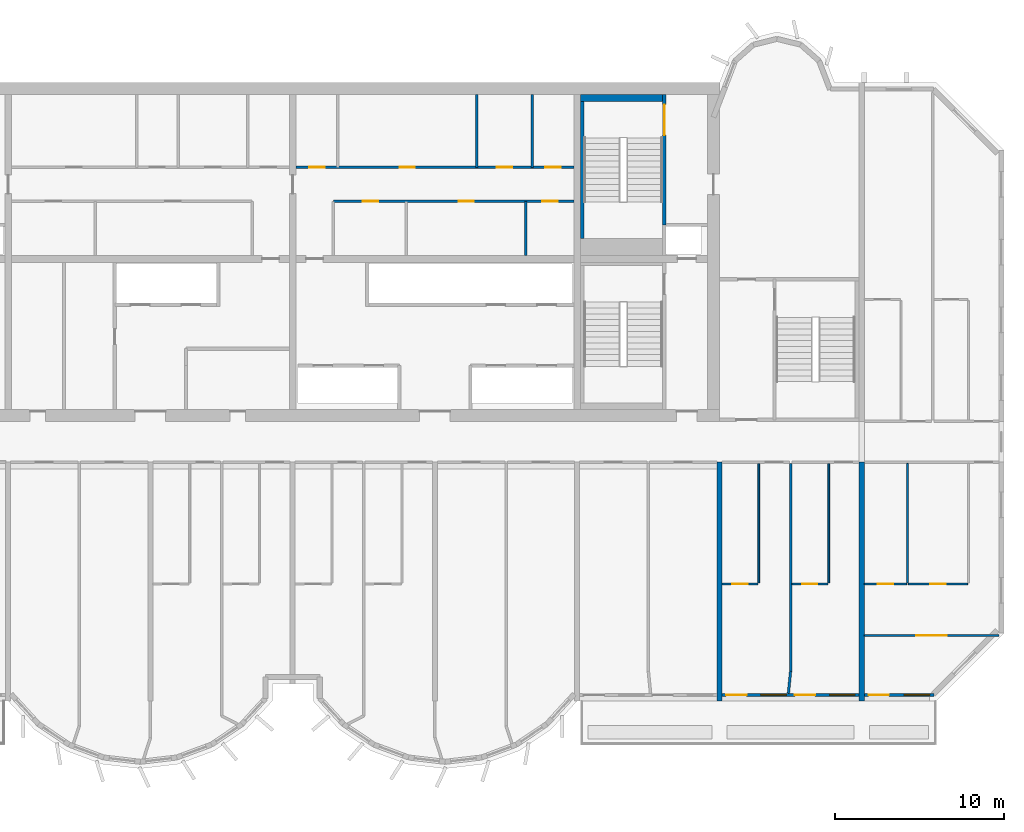
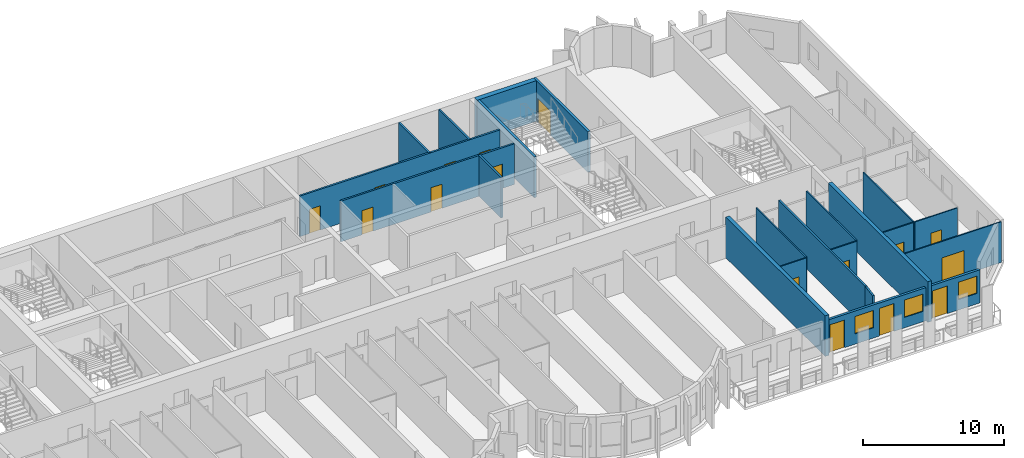
# One storey, part 8 of 13: 22 walls, 16 doors, 3 windows, 19 openings.
"""IFC4 building model written with IfcOpenShell, lengths in metres."""

import ifcopenshell
import ifcopenshell.guid

model = None  # the IFC model being written
_history = None  # IfcOwnerHistory: only IFC2X3 demands one
_inside = {}  # id of a spatial element -> (the spatial element, [elements in it])
_under = {}  # id of a project, library or spatial element -> (it, [spatial elements below it])
_declared = {}  # id of a project -> (the project, [libraries it declares])
_typed = {}  # id of a type object -> (the type object, [elements of that type])
_made_of = {}  # id of a material, layer set ... -> (it, [elements and type objects made of it])


def new_model(schema):
    """Start an empty IFC model of exactly this schema.

    Asked for "IFC4X3", IfcOpenShell would pick the latest addendum, in which some entities
    have other attributes; the version numbers below select the first issue.
    IFC2X3 requires an IfcOwnerHistory on every rooted entity: one is made here for all.
    """
    global model, _history
    if schema == "IFC4X3":
        model = ifcopenshell.file(schema_version=(4, 3, 0, 0))
    else:
        model = ifcopenshell.file(schema=schema)
    _inside.clear()
    _under.clear()
    _declared.clear()
    _typed.clear()
    _made_of.clear()
    _history = None
    if model.schema == "IFC2X3":
        org = make("IfcOrganization", Name="unknown")
        user = make(
            "IfcPersonAndOrganization",
            ThePerson=make("IfcPerson", FamilyName="unknown"),
            TheOrganization=org,
        )
        app = make(
            "IfcApplication",
            ApplicationDeveloper=org,
            Version="unknown",
            ApplicationFullName="unknown",
            ApplicationIdentifier="unknown",
        )
        _history = make(
            "IfcOwnerHistory",
            OwningUser=user,
            OwningApplication=app,
            ChangeAction="ADDED",
            CreationDate=0,
        )
    return model


def make(cls, **values):
    """One entity of the class cls with the attributes given. An attribute that is None is left unset."""
    return model.create_entity(
        cls, **{name: value for name, value in values.items() if value is not None}
    )


def rooted(cls, **values):
    """An entity with a GlobalId (a new one), such as an element, a storey or a relation."""
    return make(cls, GlobalId=ifcopenshell.guid.new(), OwnerHistory=_history, **values)


def si_unit(unit_type, name, prefix=None):
    """IfcSIUnit, for example si_unit("LENGTHUNIT", "METRE", prefix="MILLI")."""
    return make("IfcSIUnit", UnitType=unit_type, Prefix=prefix, Name=name)


def assignment(units):
    """IfcUnitAssignment: the units of a project."""
    return None if units is None else make("IfcUnitAssignment", Units=units)


def point(xyz):
    """IfcCartesianPoint."""
    return None if xyz is None else make("IfcCartesianPoint", Coordinates=xyz)


def direction(xyz):
    """IfcDirection."""
    return None if xyz is None else make("IfcDirection", DirectionRatios=xyz)


def frame(location, z_axis=None, x_axis=None):
    """IfcAxis2Placement3D, a coordinate frame: its origin and axes. An axis left out is left unset."""
    return make(
        "IfcAxis2Placement3D",
        Location=point(location),
        Axis=direction(z_axis),
        RefDirection=direction(x_axis),
    )


def frame_2d(location, x_axis=None):
    """IfcAxis2Placement2D, a coordinate frame in the plane: its origin and x axis."""
    return make(
        "IfcAxis2Placement2D", Location=point(location), RefDirection=direction(x_axis)
    )


def origin():
    """The frame at (0, 0, 0) with its axes left unset."""
    return frame((0.0, 0.0, 0.0))


def place(relative_to, where):
    """IfcLocalPlacement: puts the frame where relative to a parent placement (None: the world)."""
    return make(
        "IfcLocalPlacement", PlacementRelTo=relative_to, RelativePlacement=where
    )


def context(
    kind, dimensions, precision=None, world=None, true_north=None, identifier=None
):
    """IfcGeometricRepresentationContext, for example the 3D "Model" context."""
    return make(
        "IfcGeometricRepresentationContext",
        ContextIdentifier=identifier,
        ContextType=kind,
        CoordinateSpaceDimension=dimensions,
        Precision=precision,
        WorldCoordinateSystem=world,
        TrueNorth=true_north,
    )


def subcontext(parent, identifier, kind, view, scale=None):
    """IfcGeometricRepresentationSubContext, for example "Body" below "Model"."""
    return make(
        "IfcGeometricRepresentationSubContext",
        ContextIdentifier=identifier,
        ContextType=kind,
        ParentContext=parent,
        TargetScale=scale,
        TargetView=view,
    )


def project(units=None, contexts=None):
    """IfcProject with its units and contexts."""
    return rooted(
        "IfcProject",
        Name="project",
        RepresentationContexts=contexts,
        UnitsInContext=assignment(units),
    )


def spatial(cls, under=None, at=None, **own):
    """A site, building, storey or space (cls), placed at a placement, below another one or the project."""
    s = rooted(cls, ObjectPlacement=at, **own)
    if under is not None:
        _under.setdefault(under.id(), (under, []))[1].append(s)
    return s


def profile(cls, at=None, kind="AREA", **sizes):
    """A parametric profile (cls). Its sizes go by their IFC names, for example OverallWidth=200.0."""
    return make(cls, ProfileType=kind, Position=at, **sizes)


def rectangle(**sizes):
    """IfcRectangleProfileDef."""
    return profile("IfcRectangleProfileDef", **sizes)


def extrude(swept, where, along, depth):
    """IfcExtrudedAreaSolid: the profile swept, set in the frame where, extruded along a direction by depth."""
    return make(
        "IfcExtrudedAreaSolid",
        SweptArea=swept,
        Position=where,
        ExtrudedDirection=direction(along),
        Depth=depth,
    )


def shape(context_of_items, identifier, shape_type, items):
    """IfcShapeRepresentation: the items that make up one representation, for example the "Body"."""
    return make(
        "IfcShapeRepresentation",
        ContextOfItems=context_of_items,
        RepresentationIdentifier=identifier,
        RepresentationType=shape_type,
        Items=items,
    )


def source(mapping_origin, context_of_items, identifier, shape_type, items):
    """IfcRepresentationMap: a shape defined once, which mapped items show again and again."""
    return make(
        "IfcRepresentationMap",
        MappingOrigin=mapping_origin,
        MappedRepresentation=shape(context_of_items, identifier, shape_type, items),
    )


def transform(
    local_origin,
    x_axis=None,
    y_axis=None,
    z_axis=None,
    scale=None,
    scale2=None,
    scale3=None,
    uniform=True,
):
    """IfcCartesianTransformationOperator3D, or its non-uniform kind. x_axis, y_axis, z_axis: its Axis1, 2, 3."""
    if uniform:
        return make(
            "IfcCartesianTransformationOperator3D",
            Axis1=direction(x_axis),
            Axis2=direction(y_axis),
            LocalOrigin=point(local_origin),
            Scale=scale,
            Axis3=direction(z_axis),
        )
    return make(
        "IfcCartesianTransformationOperator3DnonUniform",
        Axis1=direction(x_axis),
        Axis2=direction(y_axis),
        LocalOrigin=point(local_origin),
        Scale=scale,
        Axis3=direction(z_axis),
        Scale2=scale2,
        Scale3=scale3,
    )


def mapped(mapping_source, mapping_target):
    """IfcMappedItem: shows the shape of a source again, moved by a transform."""
    return make(
        "IfcMappedItem", MappingSource=mapping_source, MappingTarget=mapping_target
    )


def material(Name=None, Category=None):
    """IfcMaterial."""
    return make("IfcMaterial", Name=Name, Category=Category)


def layer(
    of_material, thickness, ventilated=None, Name=None, Category=None, Priority=None
):
    """IfcMaterialLayer: one layer of a wall or slab, of a material (None: an air gap)."""
    return make(
        "IfcMaterialLayer",
        Material=of_material,
        LayerThickness=thickness,
        IsVentilated=ventilated,
        Name=Name,
        Category=Category,
        Priority=Priority,
    )


def layer_set(layers, Name=None):
    """IfcMaterialLayerSet."""
    return make("IfcMaterialLayerSet", MaterialLayers=layers, LayerSetName=Name)


def made_of(thing, what):
    """Note that an element or type object is made of a material, layer set ...; save() writes the relation."""
    if what is not None:
        _made_of.setdefault(what.id(), (what, []))[1].append(thing)
    return thing


def type_object(cls, material=None, **own):
    """A type object (cls), such as IfcWallType, which elements share."""
    return made_of(rooted(cls, **own), material)


def element(
    cls,
    number,
    at=None,
    inside=None,
    cuts=None,
    type_object=None,
    material=None,
    context=None,
    identifier="Body",
    shape_type=None,
    held_by="IfcProductDefinitionShape",
    body=None,
    shapes=None,
    **own,
):
    """One element of the class cls, such as IfcWall. Its Tag is "e" and its number.

    at: its placement. inside: the storey or other place that contains it. cuts: it is an
    opening in that element (IfcRelVoidsElement). A single representation is given by context,
    identifier, shape_type and body (its items); several are given by shapes. held_by: the class
    of the entity that holds the representations. save() writes the other relations.
    """
    e = rooted(cls, Tag="e%d" % number, ObjectPlacement=at, **own)
    if body is not None:
        shapes = [shape(context, identifier, shape_type, body)]
    if shapes is not None:
        e.Representation = make(held_by, Representations=shapes)
    if inside is not None:
        _inside.setdefault(inside.id(), (inside, []))[1].append(e)
    if cuts is not None:
        rooted(
            "IfcRelVoidsElement", RelatingBuildingElement=cuts, RelatedOpeningElement=e
        )
    if type_object is not None:
        _typed.setdefault(type_object.id(), (type_object, []))[1].append(e)
    return made_of(e, material)


def fill(opening, filler):
    """IfcRelFillsElement: the door or window that sits in an opening."""
    return rooted(
        "IfcRelFillsElement",
        RelatingOpeningElement=opening,
        RelatedBuildingElement=filler,
    )


def aggregate(whole, parts):
    """IfcRelAggregates: a whole, such as a stair, and the parts it consists of."""
    return rooted("IfcRelAggregates", RelatingObject=whole, RelatedObjects=parts)


def save(model, path):
    """Write the relations noted so far, then the file.

    IfcRelAggregates (storeys below a building ...), IfcRelContainedInSpatialStructure (elements
    in a storey), IfcRelDefinesByType, IfcRelAssociatesMaterial and IfcRelDeclares: one each for
    every whole, place, type object, material and project.
    """
    for whole, parts in _under.values():
        aggregate(whole, parts)
    for where, things in _inside.values():
        rooted(
            "IfcRelContainedInSpatialStructure",
            RelatedElements=things,
            RelatingStructure=where,
        )
    for kind, things in _typed.values():
        rooted("IfcRelDefinesByType", RelatedObjects=things, RelatingType=kind)
    for what, things in _made_of.values():
        rooted("IfcRelAssociatesMaterial", RelatedObjects=things, RelatingMaterial=what)
    for by, libraries in _declared.values():
        rooted("IfcRelDeclares", RelatingContext=by, RelatedDefinitions=libraries)
    model.write(path)


model = new_model("IFC4")

# Units and contexts
model_context = context("Model", 3, precision=1e-05, world=origin(), true_north=direction((0.0, 1.0)))
body_context = subcontext(model_context, "Body", "Model", "MODEL_VIEW")
ifc_project = project(units=[si_unit("LENGTHUNIT", "METRE"), si_unit("AREAUNIT", "SQUARE_METRE"), si_unit("VOLUMEUNIT", "CUBIC_METRE"), si_unit("PLANEANGLEUNIT", "RADIAN"), si_unit("MASSUNIT", "GRAM", prefix="KILO")], contexts=[model_context])

# Site, building, storey
site_placement = place(None, origin())
site = spatial("IfcSite", under=ifc_project, at=site_placement, CompositionType="ELEMENT")
building_placement = place(site_placement, origin())
building = spatial("IfcBuilding", under=site, at=building_placement, Name="Vanashikhar Sky Hotel", CompositionType="ELEMENT")
storey_placement = place(building_placement, frame((0.0, 0.0, 166.800048828125)))
storey = spatial("IfcBuildingStorey", under=building, at=storey_placement, Name="L40", CompositionType="ELEMENT", Elevation=166.800048828125)

# Walls
ifc_material_1 = material(Name="Concrete M60", Category="concrete")
ifc_layer_1 = layer(ifc_material_1, 0.300048828125)
ifc_layer_set_1 = layer_set([ifc_layer_1], Name="RC shear wall 300 Concrete M60")
wall_type_1 = type_object("IfcWallType", Name="RC shear wall 300 Concrete M60", PredefinedType="SHEAR", material=ifc_layer_set_1)
shared_shape_1 = source(origin(), body_context, "Body", "SweptSolid", [
    extrude(rectangle(XDim=14.10009765625, YDim=0.300048828125, at=frame_2d((7.050048828125, 0.0))), origin(), (0.0, 0.0, 1.0), 3.52001953125),
])
for number, where, z_axis, x_axis, name in (
    (1, (75.60009765625, 5.5, 0.0), (0.0, 0.0, 1.0), (0.0, 1.0, 0.0), "CW-L40-XW10-1"),
    (2, (84.0, 5.5, 0.0), (0.0, 0.0, 1.0), (0.0, 1.0, 0.0), "CW-L40-XW11-1"),
):
    element("IfcWall", number, at=place(storey_placement, frame(where, z_axis=z_axis, x_axis=x_axis)), inside=storey, type_object=wall_type_1, Name=name, PredefinedType="SHEAR", context=body_context, shape_type="MappedRepresentation", body=[
        mapped(shared_shape_1, transform((0.0, 0.0, 0.0), scale=1.0)),
    ])

# Wall, openings, window, door
ifc_material_2 = material(Name="Concrete M50", Category="concrete")
ifc_layer_2 = layer(ifc_material_2, 0.199951171875)
ifc_layer_set_2 = layer_set([ifc_layer_2], Name="Front window wall 200")
wall_type_2 = type_object("IfcWallType", Name="Front window wall 200", PredefinedType="SOLIDWALL", material=ifc_layer_set_2)
shared_shape_2 = source(origin(), body_context, "Body", "SweptSolid", [
    extrude(rectangle(XDim=4.10498046875, YDim=0.199951171875, at=frame_2d((2.052490234375, 0.0))), origin(), (0.0, 0.0, 1.0), 2.869873046875),
])
wall_1_placement = place(storey_placement, frame((84.14990234375, 5.85009765625, 0.0), z_axis=(0.0, 0.0, 1.0), x_axis=(1.0, 0.0, 0.0)))
wall_1 = element("IfcWall", 3, at=wall_1_placement, inside=storey, type_object=wall_type_2, Name="Front window wall", PredefinedType="SOLIDWALL", context=body_context, shape_type="MappedRepresentation", body=[
    mapped(shared_shape_2, transform((0.0, 0.0, 0.0), scale=1.0)),
])
shared_shape_3 = source(origin(), body_context, "Body", "SweptSolid", [
    extrude(rectangle(XDim=1.199951171875, YDim=2.39990234375, at=frame_2d((0.60009765625, 1.199951171875))), frame((0.0, 0.10986328125, 0.0), z_axis=(0.0, -1.0, 0.0), x_axis=(1.0, 0.0, 0.0)), (0.0, 0.0, 1.0), 0.219970703125),
])
opening_1_placement = place(wall_1_placement, frame((0.25, 0.0, 0.0)))
opening_1 = element("IfcOpeningElement", 4, at=opening_1_placement, cuts=wall_1, Name="Opening BD-10", PredefinedType="OPENING", context=body_context, shape_type="MappedRepresentation", body=[
    mapped(shared_shape_3, transform((0.0, 0.0, 0.0), scale=1.0)),
])
shared_shape_4 = source(origin(), body_context, "Body", "SweptSolid", [
    extrude(rectangle(XDim=1.5, YDim=1.5, at=frame_2d((0.75, 0.75))), frame((0.0, 0.10986328125, 0.0), z_axis=(0.0, -1.0, 0.0), x_axis=(1.0, 0.0, 0.0)), (0.0, 0.0, 1.0), 0.219970703125),
])
opening_2_placement = place(wall_1_placement, frame((2.35498046875, 0.0, 0.89990234375)))
opening_2 = element("IfcOpeningElement", 5, at=opening_2_placement, cuts=wall_1, Name="Opening WN-1", PredefinedType="OPENING", context=body_context, shape_type="MappedRepresentation", body=[
    mapped(shared_shape_4, transform((0.0, 0.0, 0.0), scale=1.0)),
])
ifc_material_3 = material(Name="Glass", Category="glass")
window_type = type_object("IfcWindowType", Name="Window 1500 x 1500", PartitioningType="SINGLE_PANEL", PredefinedType="WINDOW", material=ifc_material_3)
shared_shape_5 = source(origin(), body_context, "Body", "SweptSolid", [
    extrude(rectangle(XDim=1.5, YDim=1.5, at=frame_2d((0.75, 0.75))), frame((0.0, 0.030029296875, 0.0), z_axis=(0.0, -1.0, 0.0), x_axis=(1.0, 0.0, 0.0)), (0.0, 0.0, 1.0), 0.06005859375),
])
window_1_placement = place(opening_2_placement, origin())
window_1 = element("IfcWindow", 6, at=window_1_placement, inside=storey, type_object=window_type, Name="Window WN-1", OverallHeight=1.5, OverallWidth=1.5, PartitioningType="SINGLE_PANEL", PredefinedType="WINDOW", context=body_context, shape_type="MappedRepresentation", body=[
    mapped(shared_shape_5, transform((0.0, 0.0, 0.0), scale=1.0)),
])
fill(opening_2, window_1)
ifc_material_4 = material(Name="Aluminium", Category="aluminium")
door_type_1 = type_object("IfcDoorType", Name="Balcony sliding door 1200 x 2400", OperationType="NOTDEFINED", PredefinedType="DOOR", material=ifc_material_4)
shared_shape_6 = source(origin(), body_context, "Body", "SweptSolid", [
    extrude(rectangle(XDim=1.199951171875, YDim=2.39990234375, at=frame_2d((0.60009765625, 1.199951171875))), frame((0.0, 0.02490234375, 0.0), z_axis=(0.0, -1.0, 0.0), x_axis=(1.0, 0.0, 0.0)), (0.0, 0.0, 1.0), 0.050048828125),
])
door_1_placement = place(opening_1_placement, origin())
door_1 = element("IfcDoor", 7, at=door_1_placement, inside=storey, type_object=door_type_1, Name="Balcony sliding door", OperationType="SLIDING_TO_RIGHT", OverallHeight=2.39990234375, OverallWidth=1.199951171875, PredefinedType="DOOR", context=body_context, shape_type="MappedRepresentation", body=[
    mapped(shared_shape_6, transform((0.0, 0.0, 0.0), scale=1.0)),
])
fill(opening_1, door_1)

# Wall, openings, windows, doors
shared_shape_7 = source(origin(), body_context, "Body", "SweptSolid", [
    extrude(rectangle(XDim=8.10009765625, YDim=0.199951171875, at=frame_2d((4.050048828125, 0.0))), origin(), (0.0, 0.0, 1.0), 2.869873046875),
])
wall_2_placement = place(storey_placement, frame((75.75, 5.85009765625, 0.0), z_axis=(0.0, 0.0, 1.0), x_axis=(1.0, 0.0, 0.0)))
wall_2 = element("IfcWall", 8, at=wall_2_placement, inside=storey, type_object=wall_type_2, Name="Front window wall", PredefinedType="SOLIDWALL", context=body_context, shape_type="MappedRepresentation", body=[
    mapped(shared_shape_7, transform((0.0, 0.0, 0.0), scale=1.0)),
])
opening_3_placement = place(wall_2_placement, frame((0.25, 0.0, 0.0)))
opening_3 = element("IfcOpeningElement", 9, at=opening_3_placement, cuts=wall_2, Name="Opening BD-08", PredefinedType="OPENING", context=body_context, shape_type="MappedRepresentation", body=[
    mapped(shared_shape_3, transform((0.0, 0.0, 0.0), scale=1.0)),
])
opening_4_placement = place(wall_2_placement, frame((2.300048828125, 0.0, 0.89990234375)))
opening_4 = element("IfcOpeningElement", 10, at=opening_4_placement, cuts=wall_2, Name="Opening WN-1", PredefinedType="OPENING", context=body_context, shape_type="MappedRepresentation", body=[
    mapped(shared_shape_4, transform((0.0, 0.0, 0.0), scale=1.0)),
])
opening_5_placement = place(wall_2_placement, frame((4.300048828125, 0.0, 0.0)))
opening_5 = element("IfcOpeningElement", 11, at=opening_5_placement, cuts=wall_2, Name="Opening BD-09", PredefinedType="OPENING", context=body_context, shape_type="MappedRepresentation", body=[
    mapped(shared_shape_3, transform((0.0, 0.0, 0.0), scale=1.0)),
])
opening_6_placement = place(wall_2_placement, frame((6.35009765625, 0.0, 0.89990234375)))
opening_6 = element("IfcOpeningElement", 12, at=opening_6_placement, cuts=wall_2, Name="Opening WN-1", PredefinedType="OPENING", context=body_context, shape_type="MappedRepresentation", body=[
    mapped(shared_shape_4, transform((0.0, 0.0, 0.0), scale=1.0)),
])
window_2_placement = place(opening_4_placement, origin())
window_2 = element("IfcWindow", 13, at=window_2_placement, inside=storey, type_object=window_type, Name="Window WN-1", OverallHeight=1.5, OverallWidth=1.5, PartitioningType="SINGLE_PANEL", PredefinedType="WINDOW", context=body_context, shape_type="MappedRepresentation", body=[
    mapped(shared_shape_5, transform((0.0, 0.0, 0.0), scale=1.0)),
])
fill(opening_4, window_2)
window_3_placement = place(opening_6_placement, origin())
window_3 = element("IfcWindow", 14, at=window_3_placement, inside=storey, type_object=window_type, Name="Window WN-1", OverallHeight=1.5, OverallWidth=1.5, PartitioningType="SINGLE_PANEL", PredefinedType="WINDOW", context=body_context, shape_type="MappedRepresentation", body=[
    mapped(shared_shape_5, transform((0.0, 0.0, 0.0), scale=1.0)),
])
fill(opening_6, window_3)
door_2_placement = place(opening_3_placement, origin())
door_2 = element("IfcDoor", 15, at=door_2_placement, inside=storey, type_object=door_type_1, Name="Balcony sliding door", OperationType="SLIDING_TO_RIGHT", OverallHeight=2.39990234375, OverallWidth=1.199951171875, PredefinedType="DOOR", context=body_context, shape_type="MappedRepresentation", body=[
    mapped(shared_shape_6, transform((0.0, 0.0, 0.0), scale=1.0)),
])
fill(opening_3, door_2)
door_3_placement = place(opening_5_placement, origin())
door_3 = element("IfcDoor", 16, at=door_3_placement, inside=storey, type_object=door_type_1, Name="Balcony sliding door", OperationType="SLIDING_TO_LEFT", OverallHeight=2.39990234375, OverallWidth=1.199951171875, PredefinedType="DOOR", context=body_context, shape_type="MappedRepresentation", body=[
    mapped(shared_shape_6, transform((0.0, 0.0, 0.0), scale=1.0)),
])
fill(opening_5, door_3)

# Walls
ifc_layer_3 = layer(ifc_material_2, 0.199951171875)
ifc_layer_set_3 = layer_set([ifc_layer_3], Name="Stair infill wall 200")
wall_type_3 = type_object("IfcWallType", Name="Stair infill wall 200", PredefinedType="SOLIDWALL", material=ifc_layer_set_3)
shared_shape_8 = source(origin(), body_context, "Body", "SweptSolid", [
    extrude(rectangle(XDim=8.099853515625, YDim=0.199951171875, at=frame_2d((4.0498046875, 0.0))), origin(), (0.0, 0.0, 1.0), 3.52001953125),
])
wall_3_placement = place(storey_placement, frame((67.5, 32.800048828125, 0.0), z_axis=(0.0, 0.0, 1.0), x_axis=(0.0, 1.0, 0.0)))
element("IfcWall", 17, at=wall_3_placement, inside=storey, type_object=wall_type_3, Name="Stair infill wall 200", PredefinedType="SOLIDWALL", context=body_context, shape_type="MappedRepresentation", body=[
    mapped(shared_shape_8, transform((0.0, 0.0, 0.0), scale=1.0)),
])
ifc_material_5 = material(Name="Gypsum board partition")
ifc_layer_4 = layer(ifc_material_5, 0.14990234375)
ifc_layer_set_4 = layer_set([ifc_layer_4], Name="Service partition 150")
wall_type_4 = type_object("IfcWallType", Name="Service partition 150", PredefinedType="PARTITIONING", material=ifc_layer_set_4)
shared_shape_9 = source(origin(), body_context, "Body", "SweptSolid", [
    extrude(rectangle(XDim=3.199951171875, YDim=0.14990234375, at=frame_2d((1.60009765625, 0.0))), origin(), (0.0, 0.0, 1.0), 3.52001953125),
])
wall_4_placement = place(storey_placement, frame((64.175048828125, 31.800048828125, 0.0), z_axis=(0.0, 0.0, 1.0), x_axis=(0.0, 1.0, 0.0)))
element("IfcWall", 18, at=wall_4_placement, inside=storey, type_object=wall_type_4, Name="Service partition 150", PredefinedType="PARTITIONING", context=body_context, shape_type="MappedRepresentation", body=[
    mapped(shared_shape_9, transform((0.0, 0.0, 0.0), scale=1.0)),
])

# Wall, openings, doors
shared_shape_10 = source(origin(), body_context, "Body", "SweptSolid", [
    extrude(rectangle(XDim=14.199951171875, YDim=0.14990234375, at=frame_2d((7.10009765625, 0.0))), origin(), (0.0, 0.0, 1.0), 3.52001953125),
])
wall_5_placement = place(storey_placement, frame((67.0, 35.0, 0.0), z_axis=(0.0, 0.0, 1.0), x_axis=(-1.0, 0.0, 0.0)))
wall_5 = element("IfcWall", 19, at=wall_5_placement, inside=storey, type_object=wall_type_4, Name="Service partition 150", PredefinedType="PARTITIONING", context=body_context, shape_type="MappedRepresentation", body=[
    mapped(shared_shape_10, transform((0.0, 0.0, 0.0), scale=1.0)),
])
shared_shape_11 = source(origin(), body_context, "Body", "SweptSolid", [
    extrude(rectangle(XDim=0.89990234375, YDim=2.10009765625, at=frame_2d((0.449951171875, 1.050048828125))), frame((0.0, 0.0849609375, 0.0), z_axis=(0.0, -1.0, 0.0), x_axis=(1.0, 0.0, 0.0)), (0.0, 0.0, 1.0), 0.169921875),
])
opening_7_placement = place(wall_5_placement, frame((0.9619140625, 0.0, 0.0)))
opening_7 = element("IfcOpeningElement", 20, at=opening_7_placement, cuts=wall_5, Name="Opening DC-4-A", PredefinedType="OPENING", context=body_context, shape_type="MappedRepresentation", body=[
    mapped(shared_shape_11, transform((0.0, 0.0, 0.0), scale=1.0)),
])
opening_8_placement = place(wall_5_placement, frame((5.906005859375, 0.0, 0.0)))
opening_8 = element("IfcOpeningElement", 21, at=opening_8_placement, cuts=wall_5, Name="Opening DC-4-A", PredefinedType="OPENING", context=body_context, shape_type="MappedRepresentation", body=[
    mapped(shared_shape_11, transform((0.0, 0.0, 0.0), scale=1.0)),
])
opening_9_placement = place(wall_5_placement, frame((11.555908203125, 0.0, 0.0)))
opening_9 = element("IfcOpeningElement", 22, at=opening_9_placement, cuts=wall_5, Name="Opening DC-4-A", PredefinedType="OPENING", context=body_context, shape_type="MappedRepresentation", body=[
    mapped(shared_shape_11, transform((0.0, 0.0, 0.0), scale=1.0)),
])
ifc_material_6 = material(Name="Steel", Category="steel")
door_type_2 = type_object("IfcDoorType", Name="Service door 900 FD60", OperationType="NOTDEFINED", PredefinedType="DOOR", material=ifc_material_6)
shared_shape_12 = source(origin(), body_context, "Body", "SweptSolid", [
    extrude(rectangle(XDim=0.89990234375, YDim=2.10009765625, at=frame_2d((0.449951171875, 1.050048828125))), frame((0.0, 0.02490234375, 0.0), z_axis=(0.0, -1.0, 0.0), x_axis=(1.0, 0.0, 0.0)), (0.0, 0.0, 1.0), 0.050048828125),
])
door_4_placement = place(opening_7_placement, origin())
door_4 = element("IfcDoor", 23, at=door_4_placement, inside=storey, type_object=door_type_2, Name="Service door 900 FD60", OperationType="SINGLE_SWING_RIGHT", OverallHeight=2.10009765625, OverallWidth=0.89990234375, PredefinedType="DOOR", context=body_context, shape_type="MappedRepresentation", body=[
    mapped(shared_shape_12, transform((0.0, 0.0, 0.0), scale=1.0)),
])
fill(opening_7, door_4)
door_5_placement = place(opening_8_placement, origin())
door_5 = element("IfcDoor", 24, at=door_5_placement, inside=storey, type_object=door_type_2, Name="Service door 900 FD60", OperationType="SINGLE_SWING_LEFT", OverallHeight=2.10009765625, OverallWidth=0.89990234375, PredefinedType="DOOR", context=body_context, shape_type="MappedRepresentation", body=[
    mapped(shared_shape_12, transform((0.0, 0.0, 0.0), scale=1.0)),
])
fill(opening_8, door_5)
door_6_placement = place(opening_9_placement, origin())
door_6 = element("IfcDoor", 25, at=door_6_placement, inside=storey, type_object=door_type_2, Name="Service door 900 FD60", OperationType="SINGLE_SWING_RIGHT", OverallHeight=2.10009765625, OverallWidth=0.89990234375, PredefinedType="DOOR", context=body_context, shape_type="MappedRepresentation", body=[
    mapped(shared_shape_12, transform((0.0, 0.0, 0.0), scale=1.0)),
])
fill(opening_9, door_6)

shared_shape_13 = source(origin(), body_context, "Body", "SweptSolid", [
    extrude(rectangle(XDim=16.39990234375, YDim=0.14990234375, at=frame_2d((8.199951171875, 0.0))), origin(), (0.0, 0.0, 1.0), 3.52001953125),
])
wall_6_placement = place(storey_placement, frame((67.0, 37.0, 0.0), z_axis=(0.0, 0.0, 1.0), x_axis=(-1.0, 0.0, 0.0)))
wall_6 = element("IfcWall", 26, at=wall_6_placement, inside=storey, type_object=wall_type_4, Name="Service partition 150", PredefinedType="PARTITIONING", context=body_context, shape_type="MappedRepresentation", body=[
    mapped(shared_shape_13, transform((0.0, 0.0, 0.0), scale=1.0)),
])
opening_10_placement = place(wall_6_placement, frame((0.780029296875, 0.0, 0.0)))
opening_10 = element("IfcOpeningElement", 27, at=opening_10_placement, cuts=wall_6, Name="Opening DC-4-A", PredefinedType="OPENING", context=body_context, shape_type="MappedRepresentation", body=[
    mapped(shared_shape_11, transform((0.0, 0.0, 0.0), scale=1.0)),
])
opening_11_placement = place(wall_6_placement, frame((3.64990234375, 0.0, 0.0)))
opening_11 = element("IfcOpeningElement", 28, at=opening_11_placement, cuts=wall_6, Name="Opening DC-4-A", PredefinedType="OPENING", context=body_context, shape_type="MappedRepresentation", body=[
    mapped(shared_shape_11, transform((0.0, 0.0, 0.0), scale=1.0)),
])
opening_12_placement = place(wall_6_placement, frame((9.389892578125, 0.0, 0.0)))
opening_12 = element("IfcOpeningElement", 29, at=opening_12_placement, cuts=wall_6, Name="Opening DC-4-A", PredefinedType="OPENING", context=body_context, shape_type="MappedRepresentation", body=[
    mapped(shared_shape_11, transform((0.0, 0.0, 0.0), scale=1.0)),
])
opening_13_placement = place(wall_6_placement, frame((14.719970703125, 0.0, 0.0)))
opening_13 = element("IfcOpeningElement", 30, at=opening_13_placement, cuts=wall_6, Name="Opening DC-4-A", PredefinedType="OPENING", context=body_context, shape_type="MappedRepresentation", body=[
    mapped(shared_shape_11, transform((0.0, 0.0, 0.0), scale=1.0)),
])
door_7_placement = place(opening_10_placement, origin())
door_7 = element("IfcDoor", 31, at=door_7_placement, inside=storey, type_object=door_type_2, Name="Service door 900 FD60", OperationType="SINGLE_SWING_LEFT", OverallHeight=2.10009765625, OverallWidth=0.89990234375, PredefinedType="DOOR", context=body_context, shape_type="MappedRepresentation", body=[
    mapped(shared_shape_12, transform((0.0, 0.0, 0.0), scale=1.0)),
])
fill(opening_10, door_7)
door_8_placement = place(opening_11_placement, origin())
door_8 = element("IfcDoor", 32, at=door_8_placement, inside=storey, type_object=door_type_2, Name="Service door 900 FD60", OperationType="SINGLE_SWING_LEFT", OverallHeight=2.10009765625, OverallWidth=0.89990234375, PredefinedType="DOOR", context=body_context, shape_type="MappedRepresentation", body=[
    mapped(shared_shape_12, transform((0.0, 0.0, 0.0), scale=1.0)),
])
fill(opening_11, door_8)
door_9_placement = place(opening_12_placement, origin())
door_9 = element("IfcDoor", 33, at=door_9_placement, inside=storey, type_object=door_type_2, Name="Service door 900 FD60", OperationType="SINGLE_SWING_LEFT", OverallHeight=2.10009765625, OverallWidth=0.89990234375, PredefinedType="DOOR", context=body_context, shape_type="MappedRepresentation", body=[
    mapped(shared_shape_12, transform((0.0, 0.0, 0.0), scale=1.0)),
])
fill(opening_12, door_9)
door_10_placement = place(opening_13_placement, origin())
door_10 = element("IfcDoor", 34, at=door_10_placement, inside=storey, type_object=door_type_2, Name="Service door 900 FD60", OperationType="SINGLE_SWING_RIGHT", OverallHeight=2.10009765625, OverallWidth=0.89990234375, PredefinedType="DOOR", context=body_context, shape_type="MappedRepresentation", body=[
    mapped(shared_shape_12, transform((0.0, 0.0, 0.0), scale=1.0)),
])
fill(opening_13, door_10)

# Walls
shared_shape_14 = source(origin(), body_context, "Body", "SweptSolid", [
    extrude(rectangle(XDim=4.300048828125, YDim=0.14990234375, at=frame_2d((2.14990234375, 0.0))), origin(), (0.0, 0.0, 1.0), 3.52001953125),
])
for number, where, z_axis, x_axis, name in (
    (35, (64.5400390625, 37.0, 0.0), (0.0, 0.0, 1.0), (0.0, 1.0, 0.0), "Service partition 150"),
    (36, (61.260009765625, 37.0, 0.0), (0.0, 0.0, 1.0), (0.0, 1.0, 0.0), "Service partition 150"),
):
    element("IfcWall", number, at=place(storey_placement, frame(where, z_axis=z_axis, x_axis=x_axis)), inside=storey, type_object=wall_type_4, Name=name, PredefinedType="PARTITIONING", context=body_context, shape_type="MappedRepresentation", body=[
        mapped(shared_shape_14, transform((0.0, 0.0, 0.0), scale=1.0)),
    ])

# Wall, opening, door
ifc_layer_5 = layer(ifc_material_2, 0.199951171875)
ifc_layer_set_5 = layer_set([ifc_layer_5], Name="Stair wall 200")
wall_type_5 = type_object("IfcWallType", Name="Stair wall 200", PredefinedType="SOLIDWALL", material=ifc_layer_set_5)
shared_shape_15 = source(origin(), body_context, "Body", "SweptSolid", [
    extrude(rectangle(XDim=7.699951171875, YDim=0.199951171875, at=frame_2d((3.85009765625, 0.0))), origin(), (0.0, 0.0, 1.0), 3.52001953125),
])
wall_7_placement = place(storey_placement, frame((72.35009765625, 33.60009765625, 0.0), z_axis=(0.0, 0.0, 1.0), x_axis=(0.0, 1.0, 0.0)))
wall_7 = element("IfcWall", 37, at=wall_7_placement, inside=storey, type_object=wall_type_5, Name="Stair wall 200", PredefinedType="SOLIDWALL", context=body_context, shape_type="MappedRepresentation", body=[
    mapped(shared_shape_15, transform((0.0, 0.0, 0.0), scale=1.0)),
])
shared_shape_16 = source(origin(), body_context, "Body", "SweptSolid", [
    extrude(rectangle(XDim=1.800048828125, YDim=2.10009765625, at=frame_2d((0.89990234375, 1.050048828125))), frame((0.0, 0.10986328125, 0.0), z_axis=(0.0, -1.0, 0.0), x_axis=(1.0, 0.0, 0.0)), (0.0, 0.0, 1.0), 0.219970703125),
])
opening_14_placement = place(wall_7_placement, frame((5.300048828125, 0.0, 0.0)))
opening_14 = element("IfcOpeningElement", 38, at=opening_14_placement, cuts=wall_7, Name="Opening DC-1-A", PredefinedType="OPENING", context=body_context, shape_type="MappedRepresentation", body=[
    mapped(shared_shape_16, transform((0.0, 0.0, 0.0), scale=1.0)),
])
door_type_3 = type_object("IfcDoorType", Name="Stair door 1800 FD120", OperationType="NOTDEFINED", PredefinedType="DOOR", material=ifc_material_6)
shared_shape_17 = source(origin(), body_context, "Body", "SweptSolid", [
    extrude(rectangle(XDim=1.800048828125, YDim=2.10009765625, at=frame_2d((0.89990234375, 1.050048828125))), frame((0.0, 0.02490234375, 0.0), z_axis=(0.0, -1.0, 0.0), x_axis=(1.0, 0.0, 0.0)), (0.0, 0.0, 1.0), 0.050048828125),
])
door_11_placement = place(opening_14_placement, origin())
door_11 = element("IfcDoor", 39, at=door_11_placement, inside=storey, type_object=door_type_3, Name="Stair door 1800 FD120", OperationType="SINGLE_SWING_RIGHT", OverallHeight=2.10009765625, OverallWidth=1.800048828125, PredefinedType="DOOR", context=body_context, shape_type="MappedRepresentation", body=[
    mapped(shared_shape_17, transform((0.0, 0.0, 0.0), scale=1.0)),
])
fill(opening_14, door_11)

# Walls
ifc_layer_6 = layer(ifc_material_2, 0.39990234375)
ifc_layer_set_6 = layer_set([ifc_layer_6], Name="Stair infill wall 400")
wall_type_6 = type_object("IfcWallType", Name="Stair infill wall 400", PredefinedType="SOLIDWALL", material=ifc_layer_set_6)
shared_shape_18 = source(origin(), body_context, "Body", "SweptSolid", [
    extrude(rectangle(XDim=4.85009765625, YDim=0.39990234375, at=frame_2d((2.425048828125, 0.0))), origin(), (0.0, 0.0, 1.0), 3.52001953125),
])
wall_8_placement = place(storey_placement, frame((67.39990234375, 41.10009765625, 0.0), z_axis=(0.0, 0.0, 1.0), x_axis=(1.0, 0.0, 0.0)))
element("IfcWall", 40, at=wall_8_placement, inside=storey, type_object=wall_type_6, Name="Stair infill wall 400", PredefinedType="SOLIDWALL", context=body_context, shape_type="MappedRepresentation", body=[
    mapped(shared_shape_18, transform((0.0, 0.0, 0.0), scale=1.0)),
])
ifc_material_7 = material(Name="Gypsum plasterboard partition")
ifc_layer_7 = layer(ifc_material_7, 0.10009765625)
ifc_layer_set_7 = layer_set([ifc_layer_7], Name="Wet room partition 100")
wall_type_7 = type_object("IfcWallType", Name="Wet room partition 100", PredefinedType="PARTITIONING", material=ifc_layer_set_7)
shared_shape_19 = source(origin(), body_context, "Body", "SweptSolid", [
    extrude(rectangle(XDim=7.0498046875, YDim=0.10009765625, at=frame_2d((3.52490234375, 0.0))), origin(), (0.0, 0.0, 1.0), 3.52001953125),
])
for number, where, z_axis, x_axis, name in (
    (41, (77.925048828125, 12.47509765625, 0.0), (0.0, 0.0, 1.0), (0.0, 1.0, 0.0), "W-L40-PW044"),
    (42, (82.050048828125, 12.47509765625, 0.0), (0.0, 0.0, 1.0), (0.0, 1.0, 0.0), "W-L40-PW047"),
    (43, (86.699951171875, 12.47509765625, 0.0), (0.0, 0.0, 1.0), (0.0, 1.0, 0.0), "W-L40-PW052"),
):
    element("IfcWall", number, at=place(storey_placement, frame(where, z_axis=z_axis, x_axis=x_axis)), inside=storey, type_object=wall_type_7, Name=name, PredefinedType="PARTITIONING", context=body_context, shape_type="MappedRepresentation", body=[
        mapped(shared_shape_19, transform((0.0, 0.0, 0.0), scale=1.0)),
    ])

# Wall, opening, door
shared_shape_20 = source(origin(), body_context, "Body", "SweptSolid", [
    extrude(rectangle(XDim=3.5, YDim=0.10009765625, at=frame_2d((1.75, 0.0))), origin(), (0.0, 0.0, 1.0), 3.52001953125),
])
wall_9_placement = place(storey_placement, frame((86.75, 12.39990234375, 0.0), z_axis=(0.0, 0.0, 1.0), x_axis=(1.0, 0.0, 0.0)))
wall_9 = element("IfcWall", 44, at=wall_9_placement, inside=storey, type_object=wall_type_7, Name="W-L40-PW053", PredefinedType="PARTITIONING", context=body_context, shape_type="MappedRepresentation", body=[
    mapped(shared_shape_20, transform((0.0, 0.0, 0.0), scale=1.0)),
])
shared_shape_21 = source(origin(), body_context, "Body", "SweptSolid", [
    extrude(rectangle(XDim=0.89990234375, YDim=2.10009765625, at=frame_2d((0.449951171875, 1.050048828125))), frame((0.0, 0.06005859375, 0.0), z_axis=(0.0, -1.0, 0.0), x_axis=(1.0, 0.0, 0.0)), (0.0, 0.0, 1.0), 0.1201171875),
])
opening_15_placement = place(wall_9_placement, frame((1.300048828125, 0.0, 0.0)))
opening_15 = element("IfcOpeningElement", 45, at=opening_15_placement, cuts=wall_9, Name="Opening D-02", PredefinedType="OPENING", context=body_context, shape_type="MappedRepresentation", body=[
    mapped(shared_shape_21, transform((0.0, 0.0, 0.0), scale=1.0)),
])
ifc_material_8 = material(Name="Timber door", Category="wood")
door_type_4 = type_object("IfcDoorType", Name="Internal door 900", OperationType="NOTDEFINED", PredefinedType="DOOR", material=ifc_material_8)
door_12_placement = place(opening_15_placement, origin())
door_12 = element("IfcDoor", 46, at=door_12_placement, inside=storey, type_object=door_type_4, Name="D-L40-031", OperationType="SINGLE_SWING_RIGHT", OverallHeight=2.10009765625, OverallWidth=0.89990234375, PredefinedType="DOOR", context=body_context, shape_type="MappedRepresentation", body=[
    mapped(shared_shape_12, transform((0.0, 0.0, 0.0), scale=1.0)),
])
fill(opening_15, door_12)

shared_shape_22 = source(origin(), body_context, "Body", "SweptSolid", [
    extrude(rectangle(XDim=2.5, YDim=0.10009765625, at=frame_2d((1.25, 0.0))), origin(), (0.0, 0.0, 1.0), 3.52001953125),
])
wall_10_placement = place(storey_placement, frame((84.14990234375, 12.39990234375, 0.0), z_axis=(0.0, 0.0, 1.0), x_axis=(1.0, 0.0, 0.0)))
wall_10 = element("IfcWall", 47, at=wall_10_placement, inside=storey, type_object=wall_type_7, Name="W-L40-PW054", PredefinedType="PARTITIONING", context=body_context, shape_type="MappedRepresentation", body=[
    mapped(shared_shape_22, transform((0.0, 0.0, 0.0), scale=1.0)),
])
opening_16_placement = place(wall_10_placement, frame((0.800048828125, 0.0, 0.0)))
opening_16 = element("IfcOpeningElement", 48, at=opening_16_placement, cuts=wall_10, Name="Opening D-02", PredefinedType="OPENING", context=body_context, shape_type="MappedRepresentation", body=[
    mapped(shared_shape_21, transform((0.0, 0.0, 0.0), scale=1.0)),
])
door_13_placement = place(opening_16_placement, origin())
door_13 = element("IfcDoor", 49, at=door_13_placement, inside=storey, type_object=door_type_4, Name="D-L40-032", OperationType="SINGLE_SWING_RIGHT", OverallHeight=2.10009765625, OverallWidth=0.89990234375, PredefinedType="DOOR", context=body_context, shape_type="MappedRepresentation", body=[
    mapped(shared_shape_12, transform((0.0, 0.0, 0.0), scale=1.0)),
])
fill(opening_16, door_13)

# Walls
ifc_layer_8 = layer(ifc_material_7, 0.14990234375)
ifc_layer_set_8 = layer_set([ifc_layer_8], Name="Corridor and demising partition 150")
wall_type_8 = type_object("IfcWallType", Name="Corridor and demising partition 150", PredefinedType="PARTITIONING", material=ifc_layer_set_8)
shared_shape_23 = source(origin(), body_context, "Body", "SweptSolid", [
    extrude(rectangle(XDim=12.27490234375, YDim=0.14990234375, at=frame_2d((6.137451171875, 0.0))), origin(), (0.0, 0.0, 1.0), 3.52001953125),
])
wall_11_placement = place(storey_placement, frame((79.800048828125, 7.25, 0.0), z_axis=(0.0, 0.0, 1.0), x_axis=(0.0, 1.0, 0.0)))
element("IfcWall", 50, at=wall_11_placement, inside=storey, type_object=wall_type_8, Name="W-L40-PW050", PredefinedType="PARTITIONING", context=body_context, shape_type="MappedRepresentation", body=[
    mapped(shared_shape_23, transform((0.0, 0.0, 0.0), scale=1.0)),
])
shared_shape_24 = source(origin(), body_context, "Body", "SweptSolid", [
    extrude(rectangle(XDim=1.306640625, YDim=0.14990234375, at=frame_2d((0.6533203125, 0.0))), origin(), (0.0, 0.0, 1.0), 3.52001953125),
])
wall_12_placement = place(storey_placement, frame((79.669921875, 5.949951171875, 0.0), z_axis=(0.0, 0.0, 1.0), x_axis=(0.099596223396, 0.99502793543, 0.0)))
element("IfcWall", 51, at=wall_12_placement, inside=storey, type_object=wall_type_8, Name="W-L40-PW050B0", PredefinedType="PARTITIONING", context=body_context, shape_type="MappedRepresentation", body=[
    mapped(shared_shape_24, transform((0.0, 0.0, 0.0), scale=1.0)),
])

# Wall, opening, door
shared_shape_25 = source(origin(), body_context, "Body", "SweptSolid", [
    extrude(rectangle(XDim=2.125, YDim=0.10009765625, at=frame_2d((1.0625, 0.0))), origin(), (0.0, 0.0, 1.0), 3.52001953125),
])
wall_13_placement = place(storey_placement, frame((75.75, 12.39990234375, 0.0), z_axis=(0.0, 0.0, 1.0), x_axis=(1.0, 0.0, 0.0)))
wall_13 = element("IfcWall", 52, at=wall_13_placement, inside=storey, type_object=wall_type_7, Name="W-L40-PW045", PredefinedType="PARTITIONING", context=body_context, shape_type="MappedRepresentation", body=[
    mapped(shared_shape_25, transform((0.0, 0.0, 0.0), scale=1.0)),
])
opening_17_placement = place(wall_13_placement, frame((0.612060546875, 0.0, 0.0)))
opening_17 = element("IfcOpeningElement", 53, at=opening_17_placement, cuts=wall_13, Name="Opening D-02", PredefinedType="OPENING", context=body_context, shape_type="MappedRepresentation", body=[
    mapped(shared_shape_21, transform((0.0, 0.0, 0.0), scale=1.0)),
])
door_14_placement = place(opening_17_placement, origin())
door_14 = element("IfcDoor", 54, at=door_14_placement, inside=storey, type_object=door_type_4, Name="D-L40-027", OperationType="SINGLE_SWING_RIGHT", OverallHeight=2.10009765625, OverallWidth=0.89990234375, PredefinedType="DOOR", context=body_context, shape_type="MappedRepresentation", body=[
    mapped(shared_shape_12, transform((0.0, 0.0, 0.0), scale=1.0)),
])
fill(opening_17, door_14)

wall_14_placement = place(storey_placement, frame((79.875, 12.39990234375, 0.0), z_axis=(0.0, 0.0, 1.0), x_axis=(1.0, 0.0, 0.0)))
wall_14 = element("IfcWall", 55, at=wall_14_placement, inside=storey, type_object=wall_type_7, Name="W-L40-PW048", PredefinedType="PARTITIONING", context=body_context, shape_type="MappedRepresentation", body=[
    mapped(shared_shape_25, transform((0.0, 0.0, 0.0), scale=1.0)),
])
opening_18_placement = place(wall_14_placement, frame((0.612060546875, 0.0, 0.0)))
opening_18 = element("IfcOpeningElement", 56, at=opening_18_placement, cuts=wall_14, Name="Opening D-02", PredefinedType="OPENING", context=body_context, shape_type="MappedRepresentation", body=[
    mapped(shared_shape_21, transform((0.0, 0.0, 0.0), scale=1.0)),
])
door_15_placement = place(opening_18_placement, origin())
door_15 = element("IfcDoor", 57, at=door_15_placement, inside=storey, type_object=door_type_4, Name="D-L40-029", OperationType="SINGLE_SWING_RIGHT", OverallHeight=2.10009765625, OverallWidth=0.89990234375, PredefinedType="DOOR", context=body_context, shape_type="MappedRepresentation", body=[
    mapped(shared_shape_12, transform((0.0, 0.0, 0.0), scale=1.0)),
])
fill(opening_18, door_15)

shared_shape_26 = source(origin(), body_context, "Body", "SweptSolid", [
    extrude(rectangle(XDim=7.9501953125, YDim=0.10009765625, at=frame_2d((3.97509765625, 0.0))), origin(), (0.0, 0.0, 1.0), 3.52001953125),
])
wall_15_placement = place(storey_placement, frame((84.14990234375, 9.362060546875, 0.0), z_axis=(0.0, 0.0, 1.0), x_axis=(1.0, 0.0, 0.0)))
wall_15 = element("IfcWall", 58, at=wall_15_placement, inside=storey, type_object=wall_type_7, Name="W-L40-PW055", PredefinedType="PARTITIONING", context=body_context, shape_type="MappedRepresentation", body=[
    mapped(shared_shape_26, transform((0.0, 0.0, 0.0), scale=1.0)),
])
shared_shape_27 = source(origin(), body_context, "Body", "SweptSolid", [
    extrude(rectangle(XDim=1.800048828125, YDim=2.10009765625, at=frame_2d((0.89990234375, 1.050048828125))), frame((0.0, 0.06005859375, 0.0), z_axis=(0.0, -1.0, 0.0), x_axis=(1.0, 0.0, 0.0)), (0.0, 0.0, 1.0), 0.1201171875),
])
opening_19_placement = place(wall_15_placement, frame((3.074951171875, 0.0, 0.0)))
opening_19 = element("IfcOpeningElement", 59, at=opening_19_placement, cuts=wall_15, Name="Opening D-08", PredefinedType="OPENING", context=body_context, shape_type="MappedRepresentation", body=[
    mapped(shared_shape_27, transform((0.0, 0.0, 0.0), scale=1.0)),
])
door_type_5 = type_object("IfcDoorType", Name="Double leaf door 1800", OperationType="NOTDEFINED", PredefinedType="DOOR", material=ifc_material_8)
door_16_placement = place(opening_19_placement, origin())
door_16 = element("IfcDoor", 60, at=door_16_placement, inside=storey, type_object=door_type_5, Name="D-L40-033", OperationType="DOUBLE_DOOR_SINGLE_SWING", OverallHeight=2.10009765625, OverallWidth=1.800048828125, PredefinedType="DOOR", context=body_context, shape_type="MappedRepresentation", body=[
    mapped(shared_shape_17, transform((0.0, 0.0, 0.0), scale=1.0)),
])
fill(opening_19, door_16)

save(model, "model.ifc")
